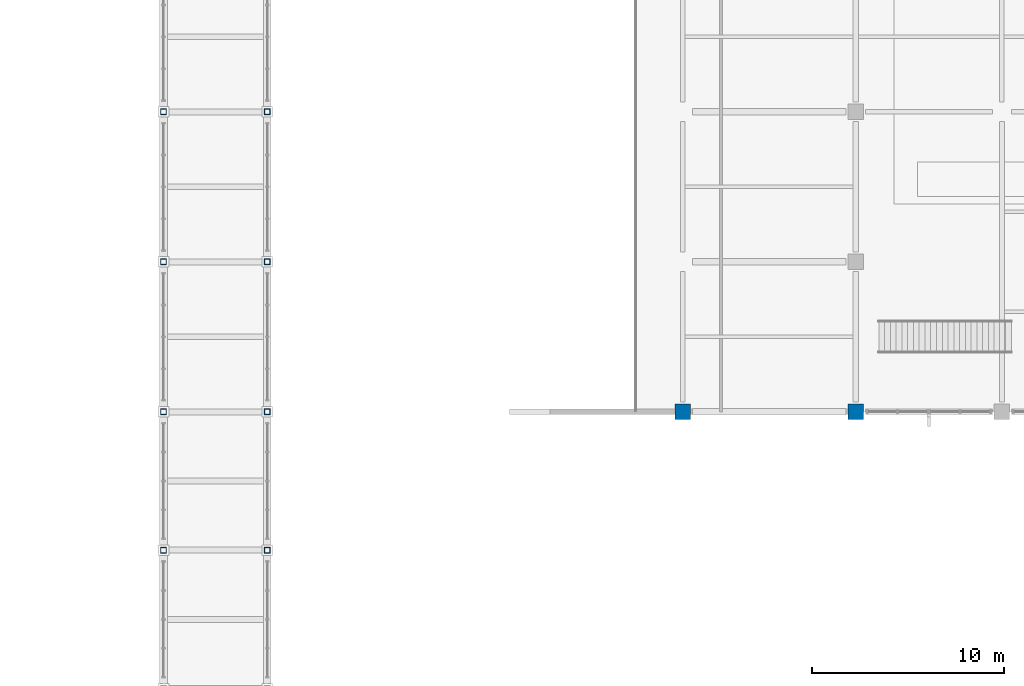
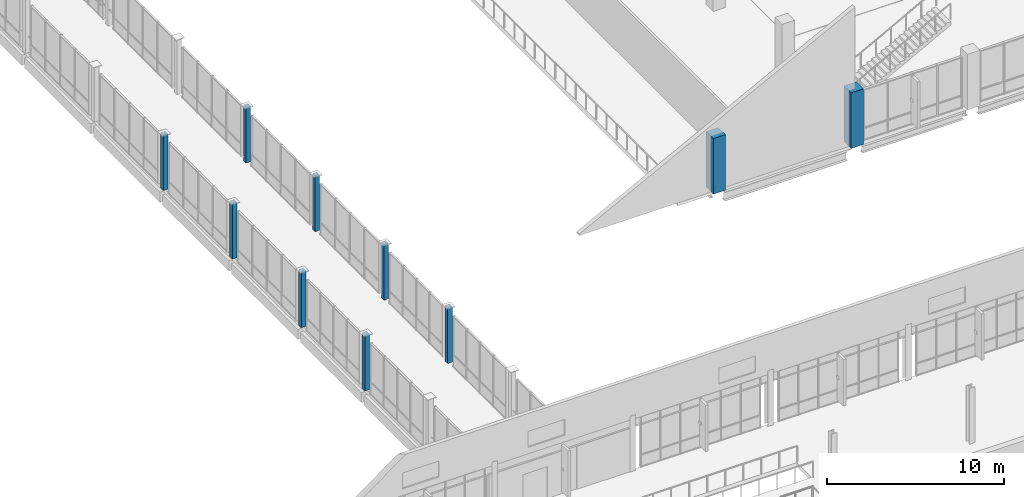
# One storey, part 7 of 85: 10 columns.
"""IFC4 building model written with IfcOpenShell, lengths in metres."""

import ifcopenshell
import ifcopenshell.guid

model = None  # the IFC model being written
_history = None  # IfcOwnerHistory: only IFC2X3 demands one
_inside = {}  # id of a spatial element -> (the spatial element, [elements in it])
_under = {}  # id of a project, library or spatial element -> (it, [spatial elements below it])
_declared = {}  # id of a project -> (the project, [libraries it declares])
_typed = {}  # id of a type object -> (the type object, [elements of that type])
_made_of = {}  # id of a material, layer set ... -> (it, [elements and type objects made of it])


def new_model(schema):
    """Start an empty IFC model of exactly this schema.

    Asked for "IFC4X3", IfcOpenShell would pick the latest addendum, in which some entities
    have other attributes; the version numbers below select the first issue.
    IFC2X3 requires an IfcOwnerHistory on every rooted entity: one is made here for all.
    """
    global model, _history
    if schema == "IFC4X3":
        model = ifcopenshell.file(schema_version=(4, 3, 0, 0))
    else:
        model = ifcopenshell.file(schema=schema)
    _inside.clear()
    _under.clear()
    _declared.clear()
    _typed.clear()
    _made_of.clear()
    _history = None
    if model.schema == "IFC2X3":
        org = make("IfcOrganization", Name="unknown")
        user = make(
            "IfcPersonAndOrganization",
            ThePerson=make("IfcPerson", FamilyName="unknown"),
            TheOrganization=org,
        )
        app = make(
            "IfcApplication",
            ApplicationDeveloper=org,
            Version="unknown",
            ApplicationFullName="unknown",
            ApplicationIdentifier="unknown",
        )
        _history = make(
            "IfcOwnerHistory",
            OwningUser=user,
            OwningApplication=app,
            ChangeAction="ADDED",
            CreationDate=0,
        )
    return model


def make(cls, **values):
    """One entity of the class cls with the attributes given. An attribute that is None is left unset."""
    return model.create_entity(
        cls, **{name: value for name, value in values.items() if value is not None}
    )


def rooted(cls, **values):
    """An entity with a GlobalId (a new one), such as an element, a storey or a relation."""
    return make(cls, GlobalId=ifcopenshell.guid.new(), OwnerHistory=_history, **values)


def si_unit(unit_type, name, prefix=None):
    """IfcSIUnit, for example si_unit("LENGTHUNIT", "METRE", prefix="MILLI")."""
    return make("IfcSIUnit", UnitType=unit_type, Prefix=prefix, Name=name)


def assignment(units):
    """IfcUnitAssignment: the units of a project."""
    return None if units is None else make("IfcUnitAssignment", Units=units)


def point(xyz):
    """IfcCartesianPoint."""
    return None if xyz is None else make("IfcCartesianPoint", Coordinates=xyz)


def direction(xyz):
    """IfcDirection."""
    return None if xyz is None else make("IfcDirection", DirectionRatios=xyz)


def frame(location, z_axis=None, x_axis=None):
    """IfcAxis2Placement3D, a coordinate frame: its origin and axes. An axis left out is left unset."""
    return make(
        "IfcAxis2Placement3D",
        Location=point(location),
        Axis=direction(z_axis),
        RefDirection=direction(x_axis),
    )


def frame_2d(location, x_axis=None):
    """IfcAxis2Placement2D, a coordinate frame in the plane: its origin and x axis."""
    return make(
        "IfcAxis2Placement2D", Location=point(location), RefDirection=direction(x_axis)
    )


def origin():
    """The frame at (0, 0, 0) with its axes left unset."""
    return frame((0.0, 0.0, 0.0))


def origin_2d():
    """The frame at (0, 0) in the plane with its x axis left unset."""
    return frame_2d((0.0, 0.0))


def place(relative_to, where):
    """IfcLocalPlacement: puts the frame where relative to a parent placement (None: the world)."""
    return make(
        "IfcLocalPlacement", PlacementRelTo=relative_to, RelativePlacement=where
    )


def context(
    kind, dimensions, precision=None, world=None, true_north=None, identifier=None
):
    """IfcGeometricRepresentationContext, for example the 3D "Model" context."""
    return make(
        "IfcGeometricRepresentationContext",
        ContextIdentifier=identifier,
        ContextType=kind,
        CoordinateSpaceDimension=dimensions,
        Precision=precision,
        WorldCoordinateSystem=world,
        TrueNorth=true_north,
    )


def subcontext(parent, identifier, kind, view, scale=None):
    """IfcGeometricRepresentationSubContext, for example "Body" below "Model"."""
    return make(
        "IfcGeometricRepresentationSubContext",
        ContextIdentifier=identifier,
        ContextType=kind,
        ParentContext=parent,
        TargetScale=scale,
        TargetView=view,
    )


def project(units=None, contexts=None):
    """IfcProject with its units and contexts."""
    return rooted(
        "IfcProject",
        Name="project",
        RepresentationContexts=contexts,
        UnitsInContext=assignment(units),
    )


def spatial(cls, under=None, at=None, **own):
    """A site, building, storey or space (cls), placed at a placement, below another one or the project."""
    s = rooted(cls, ObjectPlacement=at, **own)
    if under is not None:
        _under.setdefault(under.id(), (under, []))[1].append(s)
    return s


def profile(cls, at=None, kind="AREA", **sizes):
    """A parametric profile (cls). Its sizes go by their IFC names, for example OverallWidth=200.0."""
    return make(cls, ProfileType=kind, Position=at, **sizes)


def rectangle(**sizes):
    """IfcRectangleProfileDef."""
    return profile("IfcRectangleProfileDef", **sizes)


def hollow_rectangle(**sizes):
    """IfcRectangleHollowProfileDef."""
    return profile("IfcRectangleHollowProfileDef", **sizes)


def extrude(swept, where, along, depth):
    """IfcExtrudedAreaSolid: the profile swept, set in the frame where, extruded along a direction by depth."""
    return make(
        "IfcExtrudedAreaSolid",
        SweptArea=swept,
        Position=where,
        ExtrudedDirection=direction(along),
        Depth=depth,
    )


def shape(context_of_items, identifier, shape_type, items):
    """IfcShapeRepresentation: the items that make up one representation, for example the "Body"."""
    return make(
        "IfcShapeRepresentation",
        ContextOfItems=context_of_items,
        RepresentationIdentifier=identifier,
        RepresentationType=shape_type,
        Items=items,
    )


def material(Name=None, Category=None):
    """IfcMaterial."""
    return make("IfcMaterial", Name=Name, Category=Category)


def material_profile(
    of_material, cross_section, Name=None, Category=None, Priority=None
):
    """IfcMaterialProfile: a cross section and its material."""
    return make(
        "IfcMaterialProfile",
        Name=Name,
        Material=of_material,
        Profile=cross_section,
        Priority=Priority,
        Category=Category,
    )


def profile_set(profiles, Name=None, composite=None):
    """IfcMaterialProfileSet."""
    return make(
        "IfcMaterialProfileSet",
        Name=Name,
        MaterialProfiles=profiles,
        CompositeProfile=composite,
    )


def made_of(thing, what):
    """Note that an element or type object is made of a material, layer set ...; save() writes the relation."""
    if what is not None:
        _made_of.setdefault(what.id(), (what, []))[1].append(thing)
    return thing


def type_object(cls, material=None, **own):
    """A type object (cls), such as IfcWallType, which elements share."""
    return made_of(rooted(cls, **own), material)


def element(
    cls,
    number,
    at=None,
    inside=None,
    cuts=None,
    type_object=None,
    material=None,
    context=None,
    identifier="Body",
    shape_type=None,
    held_by="IfcProductDefinitionShape",
    body=None,
    shapes=None,
    **own,
):
    """One element of the class cls, such as IfcWall. Its Tag is "e" and its number.

    at: its placement. inside: the storey or other place that contains it. cuts: it is an
    opening in that element (IfcRelVoidsElement). A single representation is given by context,
    identifier, shape_type and body (its items); several are given by shapes. held_by: the class
    of the entity that holds the representations. save() writes the other relations.
    """
    e = rooted(cls, Tag="e%d" % number, ObjectPlacement=at, **own)
    if body is not None:
        shapes = [shape(context, identifier, shape_type, body)]
    if shapes is not None:
        e.Representation = make(held_by, Representations=shapes)
    if inside is not None:
        _inside.setdefault(inside.id(), (inside, []))[1].append(e)
    if cuts is not None:
        rooted(
            "IfcRelVoidsElement", RelatingBuildingElement=cuts, RelatedOpeningElement=e
        )
    if type_object is not None:
        _typed.setdefault(type_object.id(), (type_object, []))[1].append(e)
    return made_of(e, material)


def aggregate(whole, parts):
    """IfcRelAggregates: a whole, such as a stair, and the parts it consists of."""
    return rooted("IfcRelAggregates", RelatingObject=whole, RelatedObjects=parts)


def save(model, path):
    """Write the relations noted so far, then the file.

    IfcRelAggregates (storeys below a building ...), IfcRelContainedInSpatialStructure (elements
    in a storey), IfcRelDefinesByType, IfcRelAssociatesMaterial and IfcRelDeclares: one each for
    every whole, place, type object, material and project.
    """
    for whole, parts in _under.values():
        aggregate(whole, parts)
    for where, things in _inside.values():
        rooted(
            "IfcRelContainedInSpatialStructure",
            RelatedElements=things,
            RelatingStructure=where,
        )
    for kind, things in _typed.values():
        rooted("IfcRelDefinesByType", RelatedObjects=things, RelatingType=kind)
    for what, things in _made_of.values():
        rooted("IfcRelAssociatesMaterial", RelatedObjects=things, RelatingMaterial=what)
    for by, libraries in _declared.values():
        rooted("IfcRelDeclares", RelatingContext=by, RelatedDefinitions=libraries)
    model.write(path)


model = new_model("IFC4")

# Units and contexts
model_context = context("Model", 3, precision=1e-05, world=origin(), true_north=direction((0.0, 1.0)))
body_context = subcontext(model_context, "Body", "Model", "MODEL_VIEW")
ifc_project = project(units=[si_unit("LENGTHUNIT", "METRE"), si_unit("AREAUNIT", "SQUARE_METRE"), si_unit("VOLUMEUNIT", "CUBIC_METRE"), si_unit("PLANEANGLEUNIT", "RADIAN"), si_unit("MASSUNIT", "GRAM", prefix="KILO")], contexts=[model_context])

# Site, building, storey
site_placement = place(None, origin())
site = spatial("IfcSite", under=ifc_project, at=site_placement, CompositionType="ELEMENT")
building_placement = place(site_placement, origin())
building = spatial("IfcBuilding", under=site, at=building_placement, Name="Vervanel Yard Central Library", CompositionType="ELEMENT")
storey_placement = place(building_placement, frame((0.0, 0.0, 5.10009765625)))
storey = spatial("IfcBuildingStorey", under=building, at=storey_placement, Name="L01", CompositionType="ELEMENT", Elevation=5.10009765625)

# Columns
ifc_material_1 = material(Name="Steel ASTM A500 Grade C", Category="steel")
ifc_material_profile_1 = material_profile(ifc_material_1, hollow_rectangle(XDim=0.3046875, YDim=0.3046875, WallThickness=0.0146484375, at=origin_2d()), Name="HSS12X12X5/8", Category="steel")
ifc_profile_set_1 = profile_set([ifc_material_profile_1], Name="Steel ASTM A500 Grade C")
column_type_1 = type_object("IfcColumnType", Name="Bridge Pier Column HSS12X12X5/8", PredefinedType="COLUMN", material=ifc_profile_set_1)
for number, where, z_axis, x_axis, name in (
    (1, (72.0, 36.0, 0.0), (0.0, 0.0, 1.0), (1.0, 0.0, 0.0), "L01 Bridge Pier Column HSS12X12X5/8 (72.0, 36.0)"),
    (2, (72.0, 43.199951171875, 0.0), (0.0, 0.0, 1.0), (1.0, 0.0, 0.0), "L01 Bridge Pier Column HSS12X12X5/8 (72.0, 43.2)"),
    (3, (72.0, 51.0, 0.0), (0.0, 0.0, 1.0), (1.0, 0.0, 0.0), "L01 Bridge Pier Column HSS12X12X5/8 (72.0, 51.0)"),
    (4, (72.0, 58.800048828125, 0.0), (0.0, 0.0, 1.0), (1.0, 0.0, 0.0), "L01 Bridge Pier Column HSS12X12X5/8 (72.0, 58.8)"),
    (5, (77.39990234375, 36.0, 0.0), (0.0, 0.0, 1.0), (1.0, 0.0, 0.0), "L01 Bridge Pier Column HSS12X12X5/8 (77.4, 36.0)"),
    (6, (77.39990234375, 43.199951171875, 0.0), (0.0, 0.0, 1.0), (1.0, 0.0, 0.0), "L01 Bridge Pier Column HSS12X12X5/8 (77.4, 43.2)"),
    (7, (77.39990234375, 51.0, 0.0), (0.0, 0.0, 1.0), (1.0, 0.0, 0.0), "L01 Bridge Pier Column HSS12X12X5/8 (77.4, 51.0)"),
    (8, (77.39990234375, 58.800048828125, 0.0), (0.0, 0.0, 1.0), (1.0, 0.0, 0.0), "L01 Bridge Pier Column HSS12X12X5/8 (77.4, 58.8)"),
):
    element("IfcColumn", number, at=place(storey_placement, frame(where, z_axis=z_axis, x_axis=x_axis)), inside=storey, type_object=column_type_1, Name=name, PredefinedType="COLUMN", context=body_context, shape_type="SweptSolid", body=[
        extrude(hollow_rectangle(XDim=0.3046875, YDim=0.3046875, WallThickness=0.0146484375, at=origin_2d()), origin(), (0.0, 0.0, 1.0), 3.83984375),
    ])
ifc_material_2 = material(Name="Concrete C45/55", Category="concrete")
ifc_material_profile_2 = material_profile(ifc_material_2, rectangle(XDim=0.800048828125, YDim=0.800048828125, at=origin_2d()), Name="RC 800x800", Category="concrete")
ifc_profile_set_2 = profile_set([ifc_material_profile_2], Name="Concrete C45/55")
column_type_2 = type_object("IfcColumnType", Name="Concrete Column 800x800", PredefinedType="COLUMN", material=ifc_profile_set_2)
for number, where, z_axis, x_axis, name in (
    (9, (99.0, 43.199951171875, 0.0), (0.0, 0.0, 1.0), (1.0, 0.0, 0.0), "L01 Concrete Column 800x800 (99.0, 43.2)"),
    (10, (108.0, 43.199951171875, 0.0), (0.0, 0.0, 1.0), (1.0, 0.0, 0.0), "L01 Concrete Column 800x800 (108.0, 43.2)"),
):
    element("IfcColumn", number, at=place(storey_placement, frame(where, z_axis=z_axis, x_axis=x_axis)), inside=storey, type_object=column_type_2, Name=name, PredefinedType="COLUMN", context=body_context, shape_type="SweptSolid", body=[
        extrude(rectangle(XDim=0.800048828125, YDim=0.800048828125, at=origin_2d()), origin(), (0.0, 0.0, 1.0), 3.83984375),
    ])

save(model, "model.ifc")
